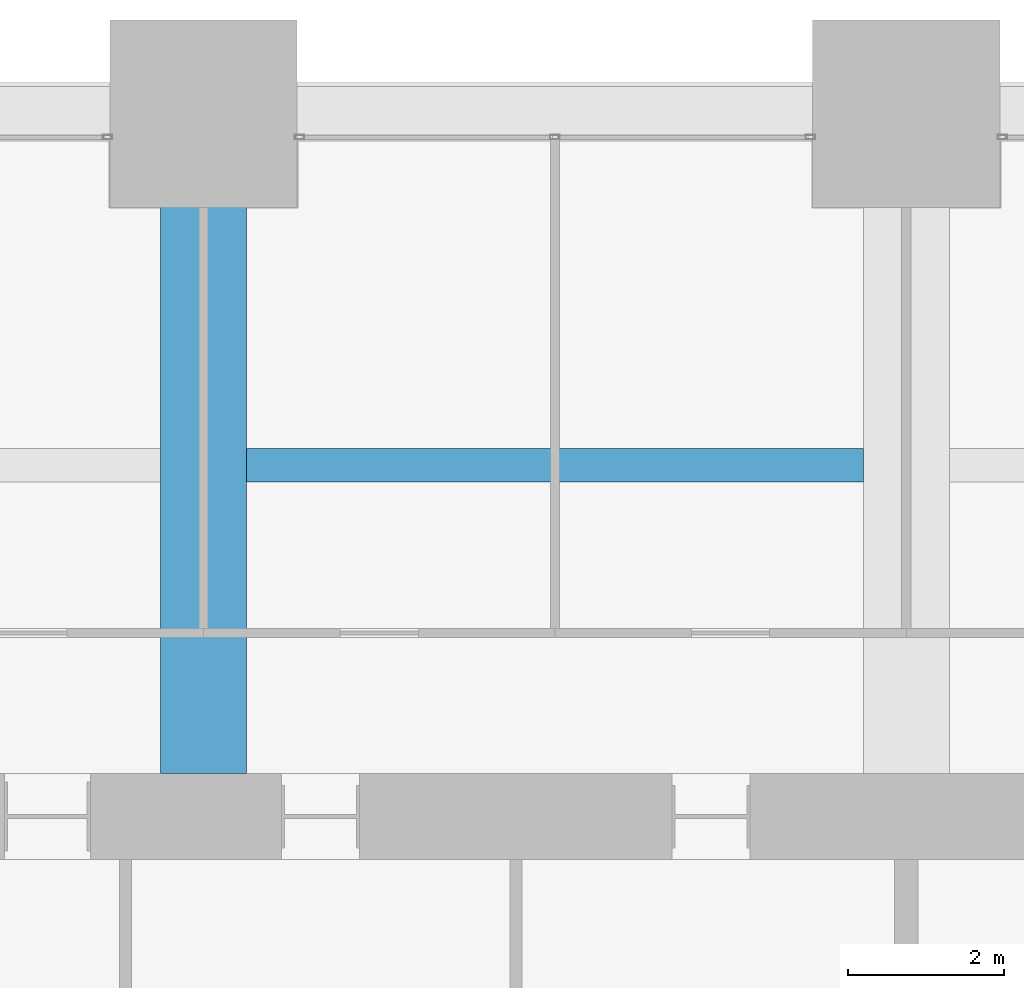
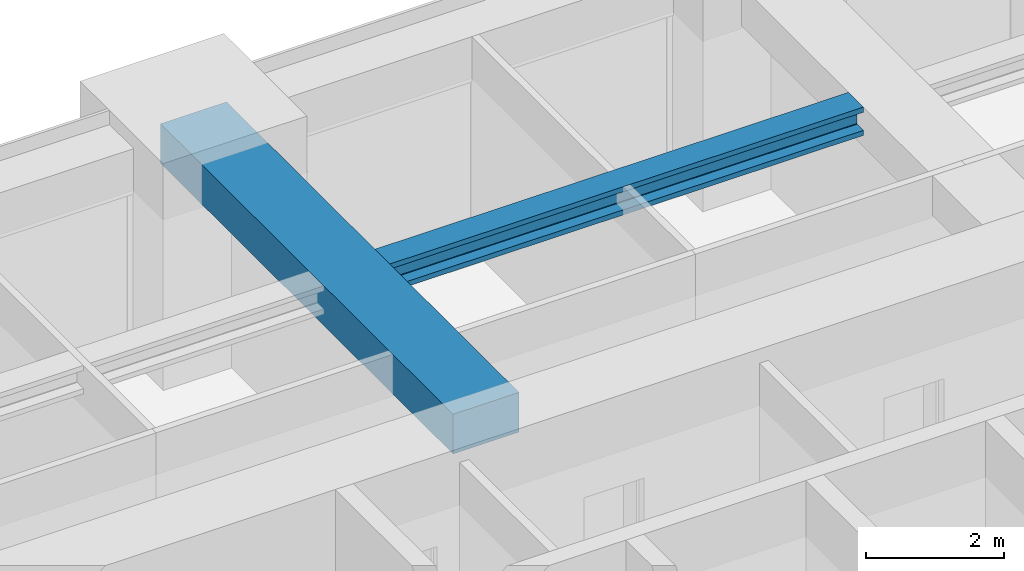
# One storey, part 33 of 45: 2 beams.
"""IFC4 building model written with IfcOpenShell, lengths in metres."""

import ifcopenshell
import ifcopenshell.guid

model = None  # the IFC model being written
_history = None  # IfcOwnerHistory: only IFC2X3 demands one
_inside = {}  # id of a spatial element -> (the spatial element, [elements in it])
_under = {}  # id of a project, library or spatial element -> (it, [spatial elements below it])
_declared = {}  # id of a project -> (the project, [libraries it declares])
_typed = {}  # id of a type object -> (the type object, [elements of that type])
_made_of = {}  # id of a material, layer set ... -> (it, [elements and type objects made of it])


def new_model(schema):
    """Start an empty IFC model of exactly this schema.

    Asked for "IFC4X3", IfcOpenShell would pick the latest addendum, in which some entities
    have other attributes; the version numbers below select the first issue.
    IFC2X3 requires an IfcOwnerHistory on every rooted entity: one is made here for all.
    """
    global model, _history
    if schema == "IFC4X3":
        model = ifcopenshell.file(schema_version=(4, 3, 0, 0))
    else:
        model = ifcopenshell.file(schema=schema)
    _inside.clear()
    _under.clear()
    _declared.clear()
    _typed.clear()
    _made_of.clear()
    _history = None
    if model.schema == "IFC2X3":
        org = make("IfcOrganization", Name="unknown")
        user = make(
            "IfcPersonAndOrganization",
            ThePerson=make("IfcPerson", FamilyName="unknown"),
            TheOrganization=org,
        )
        app = make(
            "IfcApplication",
            ApplicationDeveloper=org,
            Version="unknown",
            ApplicationFullName="unknown",
            ApplicationIdentifier="unknown",
        )
        _history = make(
            "IfcOwnerHistory",
            OwningUser=user,
            OwningApplication=app,
            ChangeAction="ADDED",
            CreationDate=0,
        )
    return model


def make(cls, **values):
    """One entity of the class cls with the attributes given. An attribute that is None is left unset."""
    return model.create_entity(
        cls, **{name: value for name, value in values.items() if value is not None}
    )


def rooted(cls, **values):
    """An entity with a GlobalId (a new one), such as an element, a storey or a relation."""
    return make(cls, GlobalId=ifcopenshell.guid.new(), OwnerHistory=_history, **values)


def si_unit(unit_type, name, prefix=None):
    """IfcSIUnit, for example si_unit("LENGTHUNIT", "METRE", prefix="MILLI")."""
    return make("IfcSIUnit", UnitType=unit_type, Prefix=prefix, Name=name)


def assignment(units):
    """IfcUnitAssignment: the units of a project."""
    return None if units is None else make("IfcUnitAssignment", Units=units)


def point(xyz):
    """IfcCartesianPoint."""
    return None if xyz is None else make("IfcCartesianPoint", Coordinates=xyz)


def direction(xyz):
    """IfcDirection."""
    return None if xyz is None else make("IfcDirection", DirectionRatios=xyz)


def frame(location, z_axis=None, x_axis=None):
    """IfcAxis2Placement3D, a coordinate frame: its origin and axes. An axis left out is left unset."""
    return make(
        "IfcAxis2Placement3D",
        Location=point(location),
        Axis=direction(z_axis),
        RefDirection=direction(x_axis),
    )


def frame_2d(location, x_axis=None):
    """IfcAxis2Placement2D, a coordinate frame in the plane: its origin and x axis."""
    return make(
        "IfcAxis2Placement2D", Location=point(location), RefDirection=direction(x_axis)
    )


def origin():
    """The frame at (0, 0, 0) with its axes left unset."""
    return frame((0.0, 0.0, 0.0))


def origin_2d():
    """The frame at (0, 0) in the plane with its x axis left unset."""
    return frame_2d((0.0, 0.0))


def place(relative_to, where):
    """IfcLocalPlacement: puts the frame where relative to a parent placement (None: the world)."""
    return make(
        "IfcLocalPlacement", PlacementRelTo=relative_to, RelativePlacement=where
    )


def context(
    kind, dimensions, precision=None, world=None, true_north=None, identifier=None
):
    """IfcGeometricRepresentationContext, for example the 3D "Model" context."""
    return make(
        "IfcGeometricRepresentationContext",
        ContextIdentifier=identifier,
        ContextType=kind,
        CoordinateSpaceDimension=dimensions,
        Precision=precision,
        WorldCoordinateSystem=world,
        TrueNorth=true_north,
    )


def subcontext(parent, identifier, kind, view, scale=None):
    """IfcGeometricRepresentationSubContext, for example "Body" below "Model"."""
    return make(
        "IfcGeometricRepresentationSubContext",
        ContextIdentifier=identifier,
        ContextType=kind,
        ParentContext=parent,
        TargetScale=scale,
        TargetView=view,
    )


def project(units=None, contexts=None):
    """IfcProject with its units and contexts."""
    return rooted(
        "IfcProject",
        Name="project",
        RepresentationContexts=contexts,
        UnitsInContext=assignment(units),
    )


def spatial(cls, under=None, at=None, **own):
    """A site, building, storey or space (cls), placed at a placement, below another one or the project."""
    s = rooted(cls, ObjectPlacement=at, **own)
    if under is not None:
        _under.setdefault(under.id(), (under, []))[1].append(s)
    return s


def profile(cls, at=None, kind="AREA", **sizes):
    """A parametric profile (cls). Its sizes go by their IFC names, for example OverallWidth=200.0."""
    return make(cls, ProfileType=kind, Position=at, **sizes)


def rectangle(**sizes):
    """IfcRectangleProfileDef."""
    return profile("IfcRectangleProfileDef", **sizes)


def i_section(**sizes):
    """IfcIShapeProfileDef."""
    return profile("IfcIShapeProfileDef", **sizes)


def extrude(swept, where, along, depth):
    """IfcExtrudedAreaSolid: the profile swept, set in the frame where, extruded along a direction by depth."""
    return make(
        "IfcExtrudedAreaSolid",
        SweptArea=swept,
        Position=where,
        ExtrudedDirection=direction(along),
        Depth=depth,
    )


def shape(context_of_items, identifier, shape_type, items):
    """IfcShapeRepresentation: the items that make up one representation, for example the "Body"."""
    return make(
        "IfcShapeRepresentation",
        ContextOfItems=context_of_items,
        RepresentationIdentifier=identifier,
        RepresentationType=shape_type,
        Items=items,
    )


def material(Name=None, Category=None):
    """IfcMaterial."""
    return make("IfcMaterial", Name=Name, Category=Category)


def material_profile(
    of_material, cross_section, Name=None, Category=None, Priority=None
):
    """IfcMaterialProfile: a cross section and its material."""
    return make(
        "IfcMaterialProfile",
        Name=Name,
        Material=of_material,
        Profile=cross_section,
        Priority=Priority,
        Category=Category,
    )


def profile_set(profiles, Name=None, composite=None):
    """IfcMaterialProfileSet."""
    return make(
        "IfcMaterialProfileSet",
        Name=Name,
        MaterialProfiles=profiles,
        CompositeProfile=composite,
    )


def made_of(thing, what):
    """Note that an element or type object is made of a material, layer set ...; save() writes the relation."""
    if what is not None:
        _made_of.setdefault(what.id(), (what, []))[1].append(thing)
    return thing


def type_object(cls, material=None, **own):
    """A type object (cls), such as IfcWallType, which elements share."""
    return made_of(rooted(cls, **own), material)


def element(
    cls,
    number,
    at=None,
    inside=None,
    cuts=None,
    type_object=None,
    material=None,
    context=None,
    identifier="Body",
    shape_type=None,
    held_by="IfcProductDefinitionShape",
    body=None,
    shapes=None,
    **own,
):
    """One element of the class cls, such as IfcWall. Its Tag is "e" and its number.

    at: its placement. inside: the storey or other place that contains it. cuts: it is an
    opening in that element (IfcRelVoidsElement). A single representation is given by context,
    identifier, shape_type and body (its items); several are given by shapes. held_by: the class
    of the entity that holds the representations. save() writes the other relations.
    """
    e = rooted(cls, Tag="e%d" % number, ObjectPlacement=at, **own)
    if body is not None:
        shapes = [shape(context, identifier, shape_type, body)]
    if shapes is not None:
        e.Representation = make(held_by, Representations=shapes)
    if inside is not None:
        _inside.setdefault(inside.id(), (inside, []))[1].append(e)
    if cuts is not None:
        rooted(
            "IfcRelVoidsElement", RelatingBuildingElement=cuts, RelatedOpeningElement=e
        )
    if type_object is not None:
        _typed.setdefault(type_object.id(), (type_object, []))[1].append(e)
    return made_of(e, material)


def aggregate(whole, parts):
    """IfcRelAggregates: a whole, such as a stair, and the parts it consists of."""
    return rooted("IfcRelAggregates", RelatingObject=whole, RelatedObjects=parts)


def save(model, path):
    """Write the relations noted so far, then the file.

    IfcRelAggregates (storeys below a building ...), IfcRelContainedInSpatialStructure (elements
    in a storey), IfcRelDefinesByType, IfcRelAssociatesMaterial and IfcRelDeclares: one each for
    every whole, place, type object, material and project.
    """
    for whole, parts in _under.values():
        aggregate(whole, parts)
    for where, things in _inside.values():
        rooted(
            "IfcRelContainedInSpatialStructure",
            RelatedElements=things,
            RelatingStructure=where,
        )
    for kind, things in _typed.values():
        rooted("IfcRelDefinesByType", RelatedObjects=things, RelatingType=kind)
    for what, things in _made_of.values():
        rooted("IfcRelAssociatesMaterial", RelatedObjects=things, RelatingMaterial=what)
    for by, libraries in _declared.values():
        rooted("IfcRelDeclares", RelatingContext=by, RelatedDefinitions=libraries)
    model.write(path)


model = new_model("IFC4")

# Units and contexts
model_context = context("Model", 3, precision=1e-05, world=origin(), true_north=direction((0.0, 1.0)))
body_context = subcontext(model_context, "Body", "Model", "MODEL_VIEW")
ifc_project = project(units=[si_unit("LENGTHUNIT", "METRE"), si_unit("AREAUNIT", "SQUARE_METRE"), si_unit("VOLUMEUNIT", "CUBIC_METRE"), si_unit("PLANEANGLEUNIT", "RADIAN"), si_unit("MASSUNIT", "GRAM", prefix="KILO")], contexts=[model_context])

# Site, building, storey
site_placement = place(None, origin())
site = spatial("IfcSite", under=ifc_project, at=site_placement, CompositionType="ELEMENT")
building_placement = place(site_placement, origin())
building = spatial("IfcBuilding", under=site, at=building_placement, Name="Zorevar Civic Tower", CompositionType="ELEMENT")
storey_placement = place(building_placement, frame((0.0, 0.0, 247.39990234375)))
storey = spatial("IfcBuildingStorey", under=building, at=storey_placement, Name="L60", CompositionType="ELEMENT", Elevation=247.39990234375)

# Beams
ifc_material_1 = material(Name="Concrete C50/60", Category="concrete")
ifc_material_profile_1 = material_profile(ifc_material_1, rectangle(XDim=1.10009765625, YDim=0.699951171875, at=origin_2d()), Name="RC 1100x700")
ifc_profile_set_1 = profile_set([ifc_material_profile_1], Name="Concrete C50/60")
beam_type_1 = type_object("IfcBeamType", Name="Beam RC 1100x700", PredefinedType="BEAM", material=ifc_profile_set_1)
beam_1_placement = place(storey_placement, frame((27.0, 36.550048828125, 3.400146484375), z_axis=(0.0, 1.0, 0.0), x_axis=(-1.0, 0.0, 0.0)))
element("IfcBeam", 1, at=beam_1_placement, inside=storey, type_object=beam_type_1, Name="Girder L61", PredefinedType="BEAM", context=body_context, shape_type="SweptSolid", body=[
    extrude(rectangle(XDim=1.10009765625, YDim=0.699951171875, at=origin_2d()), origin(), (0.0, 0.0, 1.0), 8.449951171875),
])
ifc_material_2 = material(Name="Steel S460M (HISTAR 460)", Category="steel")
ifc_material_profile_2 = material_profile(ifc_material_2, i_section(OverallWidth=0.431884765625, OverallDepth=0.498046875, WebThickness=0.0556640625, FlangeThickness=0.0888671875, FilletRadius=0.014892578125, at=origin_2d()), Name="HD 400x744")
ifc_profile_set_2 = profile_set([ifc_material_profile_2], Name="Steel S460M (HISTAR 460)")
beam_type_2 = type_object("IfcBeamType", Name="Core bay beam HD 400x744", PredefinedType="BEAM", material=ifc_profile_set_2)
beam_2_placement = place(storey_placement, frame((27.550048828125, 40.5, 3.5009765625), z_axis=(1.0, 0.0, 0.0), x_axis=(0.0, 1.0, 0.0)))
element("IfcBeam", 2, at=beam_2_placement, inside=storey, type_object=beam_type_2, Name="Secondary beam L61", PredefinedType="BEAM", context=body_context, shape_type="SweptSolid", body=[
    extrude(i_section(OverallWidth=0.431884765625, OverallDepth=0.498046875, WebThickness=0.0556640625, FlangeThickness=0.0888671875, FilletRadius=0.014892578125, at=origin_2d()), origin(), (0.0, 0.0, 1.0), 7.89990234375),
])

save(model, "model.ifc")
